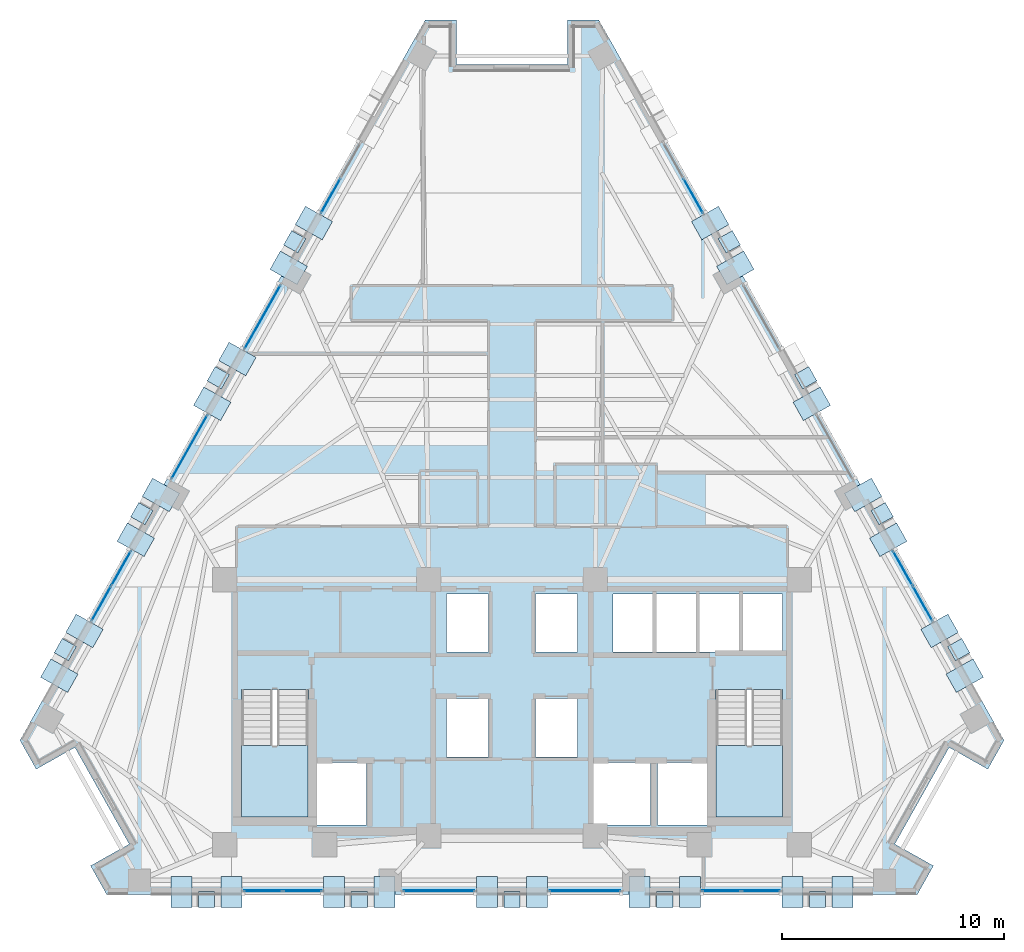
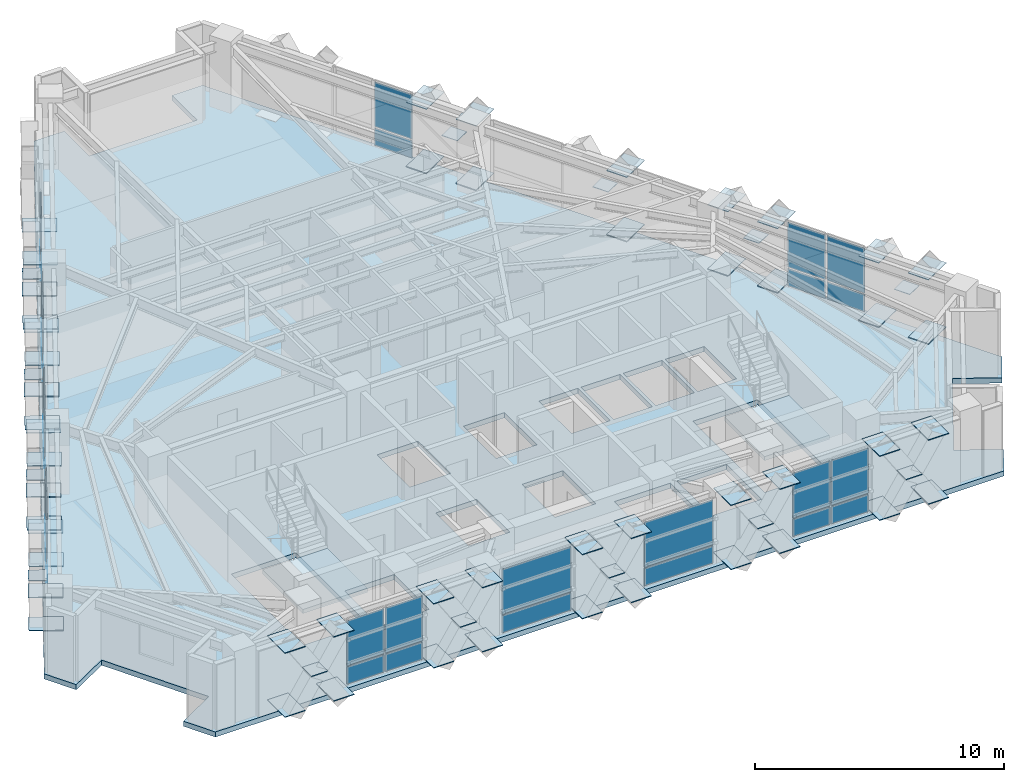
# One storey, part 6 of 14: 91 plates, 3 slabs, 12 elements without a shape of their own.
"""IFC4 building model written with IfcOpenShell, lengths in metres."""

from ifc_helpers import new_model, si_unit, direction, frame, origin, origin_2d, place, context, subcontext, project, spatial, polyline, rectangle, outline, extrude, material, layer, layer_set, type_object, element, aggregate, save


model = new_model("IFC4")

# Units and contexts
model_context = context("Model", 3, precision=1e-05, world=origin(), true_north=direction((0.0, 1.0)))
body_context = subcontext(model_context, "Body", "Model", "MODEL_VIEW")
ifc_project = project(units=[si_unit("LENGTHUNIT", "METRE"), si_unit("AREAUNIT", "SQUARE_METRE"), si_unit("VOLUMEUNIT", "CUBIC_METRE"), si_unit("PLANEANGLEUNIT", "RADIAN"), si_unit("MASSUNIT", "GRAM", prefix="KILO")], contexts=[model_context])

# Site, building, storey
site_placement = place(None, origin())
site = spatial("IfcSite", under=ifc_project, at=site_placement, CompositionType="ELEMENT")
building_placement = place(site_placement, origin())
building = spatial("IfcBuilding", under=site, at=building_placement, Name="Quenlor Broadcast Tower", CompositionType="ELEMENT")
storey_placement = place(building_placement, frame((0.0, 0.0, 165.0)))
storey = spatial("IfcBuildingStorey", under=building, at=storey_placement, Name="L45", CompositionType="ELEMENT", Elevation=165.0)

# Curtain wall, plates
ifc_material_1 = material(Name="Architectural Terracotta and Low-E Glazing", Category="masonry")
curtain_wall_type = type_object("IfcCurtainWallType", Name="Unitised Terracotta Curtain Wall System Z3", PredefinedType="NOTDEFINED", material=ifc_material_1)
curtain_wall_1_placement = place(storey_placement, origin())
curtain_wall_1 = element("IfcCurtainWall", 1, at=curtain_wall_1_placement, inside=storey, type_object=curtain_wall_type, Name="L45 Curtain Wall CW3 (L45-SA-G1)", PredefinedType="NOTDEFINED")
ifc_material_2 = material(Name="Double Glazed Low-E Solar Glass", Category="glass")
ifc_layer_1 = layer(ifc_material_2, 0.028076171875)
ifc_layer_set_1 = layer_set([ifc_layer_1], Name="CW3 Double Glazed Vision Panel 28")
plate_type_1 = type_object("IfcPlateType", Name="CW3 Double Glazed Vision Panel 28", PredefinedType="CURTAIN_PANEL", material=ifc_layer_set_1)
plate_1_placement = place(storey_placement, frame((11.222900390625, -18.824951171875, 0.06982421875), z_axis=(0.0, 0.0, 1.0), x_axis=(-1.0, 0.0, 0.0)))
plate_1 = element("IfcPlate", 2, at=plate_1_placement, type_object=plate_type_1, Name="CW3 panel 1.1", PredefinedType="CURTAIN_PANEL", context=body_context, shape_type="SweptSolid", body=[
    extrude(rectangle(XDim=1.7119140625, YDim=0.028076171875, at=origin_2d()), origin(), (0.0, 0.0, 1.0), 0.844970703125),
])
plate_2_placement = place(storey_placement, frame((11.222900390625, -18.824951171875, 0.98486328125), z_axis=(0.0, 0.0, 1.0), x_axis=(-1.0, 0.0, 0.0)))
plate_2 = element("IfcPlate", 3, at=plate_2_placement, type_object=plate_type_1, Name="CW3 panel 1.2", PredefinedType="CURTAIN_PANEL", context=body_context, shape_type="SweptSolid", body=[
    extrude(rectangle(XDim=1.7119140625, YDim=0.028076171875, at=origin_2d()), origin(), (0.0, 0.0, 1.0), 2.195068359375),
])
plate_3_placement = place(storey_placement, frame((9.44091796875, -18.824951171875, 0.06982421875), z_axis=(0.0, 0.0, 1.0), x_axis=(-1.0, 0.0, 0.0)))
plate_3 = element("IfcPlate", 4, at=plate_3_placement, type_object=plate_type_1, Name="CW3 panel 2.1", PredefinedType="CURTAIN_PANEL", context=body_context, shape_type="SweptSolid", body=[
    extrude(rectangle(XDim=1.7119140625, YDim=0.028076171875, at=origin_2d()), origin(), (0.0, 0.0, 1.0), 0.844970703125),
])
plate_4_placement = place(storey_placement, frame((9.44091796875, -18.824951171875, 0.98486328125), z_axis=(0.0, 0.0, 1.0), x_axis=(-1.0, 0.0, 0.0)))
plate_4 = element("IfcPlate", 5, at=plate_4_placement, type_object=plate_type_1, Name="CW3 panel 2.2", PredefinedType="CURTAIN_PANEL", context=body_context, shape_type="SweptSolid", body=[
    extrude(rectangle(XDim=1.7119140625, YDim=0.028076171875, at=origin_2d()), origin(), (0.0, 0.0, 1.0), 2.195068359375),
])
aggregate(curtain_wall_1, [plate_1, plate_2, plate_3, plate_4])

curtain_wall_2_placement = place(storey_placement, origin())
curtain_wall_2 = element("IfcCurtainWall", 6, at=curtain_wall_2_placement, inside=storey, type_object=curtain_wall_type, Name="L45 Curtain Wall CW3 (L45-SC-G1)", PredefinedType="NOTDEFINED")
plate_5_placement = place(storey_placement, frame((-9.44091796875, -18.824951171875, 0.06982421875), z_axis=(0.0, 0.0, 1.0), x_axis=(-1.0, 0.0, 0.0)))
plate_5 = element("IfcPlate", 7, at=plate_5_placement, type_object=plate_type_1, Name="CW3 panel 1.1", PredefinedType="CURTAIN_PANEL", context=body_context, shape_type="SweptSolid", body=[
    extrude(rectangle(XDim=1.7119140625, YDim=0.028076171875, at=origin_2d()), origin(), (0.0, 0.0, 1.0), 0.844970703125),
])
plate_6_placement = place(storey_placement, frame((-9.44091796875, -18.824951171875, 0.98486328125), z_axis=(0.0, 0.0, 1.0), x_axis=(-1.0, 0.0, 0.0)))
plate_6 = element("IfcPlate", 8, at=plate_6_placement, type_object=plate_type_1, Name="CW3 panel 1.2", PredefinedType="CURTAIN_PANEL", context=body_context, shape_type="SweptSolid", body=[
    extrude(rectangle(XDim=1.7119140625, YDim=0.028076171875, at=origin_2d()), origin(), (0.0, 0.0, 1.0), 2.195068359375),
])
plate_7_placement = place(storey_placement, frame((-11.222900390625, -18.824951171875, 0.06982421875), z_axis=(0.0, 0.0, 1.0), x_axis=(-1.0, 0.0, 0.0)))
plate_7 = element("IfcPlate", 9, at=plate_7_placement, type_object=plate_type_1, Name="CW3 panel 2.1", PredefinedType="CURTAIN_PANEL", context=body_context, shape_type="SweptSolid", body=[
    extrude(rectangle(XDim=1.7119140625, YDim=0.028076171875, at=origin_2d()), origin(), (0.0, 0.0, 1.0), 0.844970703125),
])
plate_8_placement = place(storey_placement, frame((-11.222900390625, -18.824951171875, 0.98486328125), z_axis=(0.0, 0.0, 1.0), x_axis=(-1.0, 0.0, 0.0)))
plate_8 = element("IfcPlate", 10, at=plate_8_placement, type_object=plate_type_1, Name="CW3 panel 2.2", PredefinedType="CURTAIN_PANEL", context=body_context, shape_type="SweptSolid", body=[
    extrude(rectangle(XDim=1.7119140625, YDim=0.028076171875, at=origin_2d()), origin(), (0.0, 0.0, 1.0), 2.195068359375),
])
aggregate(curtain_wall_2, [plate_5, plate_6, plate_7, plate_8])

curtain_wall_3_placement = place(storey_placement, origin())
curtain_wall_3 = element("IfcCurtainWall", 11, at=curtain_wall_3_placement, inside=storey, type_object=curtain_wall_type, Name="L45 Curtain Wall CW3 (L45-S-G1)", PredefinedType="NOTDEFINED")
plate_9_placement = place(storey_placement, frame((3.2939453125, -18.824951171875, 0.06982421875), z_axis=(0.0, 0.0, 1.0), x_axis=(-1.0, 0.0, 0.0)))
plate_9 = element("IfcPlate", 12, at=plate_9_placement, type_object=plate_type_1, Name="CW3 panel 1.1", PredefinedType="CURTAIN_PANEL", context=body_context, shape_type="SweptSolid", body=[
    extrude(rectangle(XDim=3.194091796875, YDim=0.028076171875, at=origin_2d()), origin(), (0.0, 0.0, 1.0), 0.844970703125),
])
plate_10_placement = place(storey_placement, frame((3.2939453125, -18.824951171875, 0.98486328125), z_axis=(0.0, 0.0, 1.0), x_axis=(-1.0, 0.0, 0.0)))
plate_10 = element("IfcPlate", 13, at=plate_10_placement, type_object=plate_type_1, Name="CW3 panel 1.2", PredefinedType="CURTAIN_PANEL", context=body_context, shape_type="SweptSolid", body=[
    extrude(rectangle(XDim=3.194091796875, YDim=0.028076171875, at=origin_2d()), origin(), (0.0, 0.0, 1.0), 2.195068359375),
])
aggregate(curtain_wall_3, [plate_9, plate_10])

curtain_wall_4_placement = place(storey_placement, origin())
curtain_wall_4 = element("IfcCurtainWall", 14, at=curtain_wall_4_placement, inside=storey, type_object=curtain_wall_type, Name="L45 Curtain Wall CW3 (L45-S-G2)", PredefinedType="NOTDEFINED")
plate_11_placement = place(storey_placement, frame((-3.2939453125, -18.824951171875, 0.06982421875), z_axis=(0.0, 0.0, 1.0), x_axis=(-1.0, 0.0, 0.0)))
plate_11 = element("IfcPlate", 15, at=plate_11_placement, type_object=plate_type_1, Name="CW3 panel 1.1", PredefinedType="CURTAIN_PANEL", context=body_context, shape_type="SweptSolid", body=[
    extrude(rectangle(XDim=3.194091796875, YDim=0.028076171875, at=origin_2d()), origin(), (0.0, 0.0, 1.0), 0.844970703125),
])
plate_12_placement = place(storey_placement, frame((-3.2939453125, -18.824951171875, 0.98486328125), z_axis=(0.0, 0.0, 1.0), x_axis=(-1.0, 0.0, 0.0)))
plate_12 = element("IfcPlate", 16, at=plate_12_placement, type_object=plate_type_1, Name="CW3 panel 1.2", PredefinedType="CURTAIN_PANEL", context=body_context, shape_type="SweptSolid", body=[
    extrude(rectangle(XDim=3.194091796875, YDim=0.028076171875, at=origin_2d()), origin(), (0.0, 0.0, 1.0), 2.195068359375),
])
aggregate(curtain_wall_4, [plate_11, plate_12])

curtain_wall_5_placement = place(storey_placement, origin())
curtain_wall_5 = element("IfcCurtainWall", 17, at=curtain_wall_5_placement, inside=storey, type_object=curtain_wall_type, Name="L45 Curtain Wall CW3 (L45-NEA-G1)", PredefinedType="NOTDEFINED")
plate_13_placement = place(storey_placement, frame((8.174560546875, 12.5107421875, 0.06982421875), z_axis=(0.0, 0.0, 1.0), x_axis=(0.490270139949, -0.871570530637, 0.0)))
plate_13 = element("IfcPlate", 18, at=plate_13_placement, type_object=plate_type_1, Name="CW3 panel 2.1", PredefinedType="CURTAIN_PANEL", context=body_context, shape_type="SweptSolid", body=[
    extrude(rectangle(XDim=1.761962890625, YDim=0.028076171875, at=origin_2d()), origin(), (0.0, 0.0, 1.0), 0.844970703125),
])
plate_14_placement = place(storey_placement, frame((8.174560546875, 12.5107421875, 0.98486328125), z_axis=(0.0, 0.0, 1.0), x_axis=(0.490270139949, -0.871570530637, 0.0)))
plate_14 = element("IfcPlate", 19, at=plate_14_placement, type_object=plate_type_1, Name="CW3 panel 2.2", PredefinedType="CURTAIN_PANEL", context=body_context, shape_type="SweptSolid", body=[
    extrude(rectangle(XDim=1.761962890625, YDim=0.028076171875, at=origin_2d()), origin(), (0.0, 0.0, 1.0), 2.195068359375),
])
aggregate(curtain_wall_5, [plate_13, plate_14])

curtain_wall_6_placement = place(storey_placement, origin())
curtain_wall_6 = element("IfcCurtainWall", 20, at=curtain_wall_6_placement, inside=storey, type_object=curtain_wall_type, Name="L45 Curtain Wall CW3 (L45-NEC-G1)", PredefinedType="NOTDEFINED")
plate_15_placement = place(storey_placement, frame((17.62060546875, -4.2822265625, 0.06982421875), z_axis=(0.0, 0.0, 1.0), x_axis=(0.490258696743, -0.871576967495, 0.0)))
plate_15 = element("IfcPlate", 21, at=plate_15_placement, type_object=plate_type_1, Name="CW3 panel 1.1", PredefinedType="CURTAIN_PANEL", context=body_context, shape_type="SweptSolid", body=[
    extrude(rectangle(XDim=1.761962890625, YDim=0.028076171875, at=origin_2d()), origin(), (0.0, 0.0, 1.0), 0.844970703125),
])
plate_16_placement = place(storey_placement, frame((17.62060546875, -4.2822265625, 0.98486328125), z_axis=(0.0, 0.0, 1.0), x_axis=(0.490258696743, -0.871576967495, 0.0)))
plate_16 = element("IfcPlate", 22, at=plate_16_placement, type_object=plate_type_1, Name="CW3 panel 1.2", PredefinedType="CURTAIN_PANEL", context=body_context, shape_type="SweptSolid", body=[
    extrude(rectangle(XDim=1.761962890625, YDim=0.028076171875, at=origin_2d()), origin(), (0.0, 0.0, 1.0), 2.195068359375),
])
plate_17_placement = place(storey_placement, frame((18.518798828125, -5.879150390625, 0.06982421875), z_axis=(0.0, 0.0, 1.0), x_axis=(0.490258696743, -0.871576967495, 0.0)))
plate_17 = element("IfcPlate", 23, at=plate_17_placement, type_object=plate_type_1, Name="CW3 panel 2.1", PredefinedType="CURTAIN_PANEL", context=body_context, shape_type="SweptSolid", body=[
    extrude(rectangle(XDim=1.761962890625, YDim=0.028076171875, at=origin_2d()), origin(), (0.0, 0.0, 1.0), 0.844970703125),
])
plate_18_placement = place(storey_placement, frame((18.518798828125, -5.879150390625, 0.98486328125), z_axis=(0.0, 0.0, 1.0), x_axis=(0.490258696743, -0.871576967495, 0.0)))
plate_18 = element("IfcPlate", 24, at=plate_18_placement, type_object=plate_type_1, Name="CW3 panel 2.2", PredefinedType="CURTAIN_PANEL", context=body_context, shape_type="SweptSolid", body=[
    extrude(rectangle(XDim=1.761962890625, YDim=0.028076171875, at=origin_2d()), origin(), (0.0, 0.0, 1.0), 2.195068359375),
])
aggregate(curtain_wall_6, [plate_15, plate_16, plate_17, plate_18])

curtain_wall_7_placement = place(storey_placement, origin())
curtain_wall_7 = element("IfcCurtainWall", 25, at=curtain_wall_7_placement, inside=storey, type_object=curtain_wall_type, Name="L45 Curtain Wall CW3 (L45-NWA-G1)", PredefinedType="NOTDEFINED")
plate_19_placement = place(storey_placement, frame((-18.518798828125, -5.879150390625, 0.06982421875), z_axis=(0.0, 0.0, 1.0), x_axis=(0.490258696743, 0.871576967495, 0.0)))
plate_19 = element("IfcPlate", 26, at=plate_19_placement, type_object=plate_type_1, Name="CW3 panel 1.1", PredefinedType="CURTAIN_PANEL", context=body_context, shape_type="SweptSolid", body=[
    extrude(rectangle(XDim=1.761962890625, YDim=0.028076171875, at=origin_2d()), origin(), (0.0, 0.0, 1.0), 0.844970703125),
])
plate_20_placement = place(storey_placement, frame((-18.518798828125, -5.879150390625, 0.98486328125), z_axis=(0.0, 0.0, 1.0), x_axis=(0.490258696743, 0.871576967495, 0.0)))
plate_20 = element("IfcPlate", 27, at=plate_20_placement, type_object=plate_type_1, Name="CW3 panel 1.2", PredefinedType="CURTAIN_PANEL", context=body_context, shape_type="SweptSolid", body=[
    extrude(rectangle(XDim=1.761962890625, YDim=0.028076171875, at=origin_2d()), origin(), (0.0, 0.0, 1.0), 2.195068359375),
])
plate_21_placement = place(storey_placement, frame((-17.62060546875, -4.2822265625, 0.06982421875), z_axis=(0.0, 0.0, 1.0), x_axis=(0.490258696743, 0.871576967495, 0.0)))
plate_21 = element("IfcPlate", 28, at=plate_21_placement, type_object=plate_type_1, Name="CW3 panel 2.1", PredefinedType="CURTAIN_PANEL", context=body_context, shape_type="SweptSolid", body=[
    extrude(rectangle(XDim=1.761962890625, YDim=0.028076171875, at=origin_2d()), origin(), (0.0, 0.0, 1.0), 0.844970703125),
])
plate_22_placement = place(storey_placement, frame((-17.62060546875, -4.2822265625, 0.98486328125), z_axis=(0.0, 0.0, 1.0), x_axis=(0.490258696743, 0.871576967495, 0.0)))
plate_22 = element("IfcPlate", 29, at=plate_22_placement, type_object=plate_type_1, Name="CW3 panel 2.2", PredefinedType="CURTAIN_PANEL", context=body_context, shape_type="SweptSolid", body=[
    extrude(rectangle(XDim=1.761962890625, YDim=0.028076171875, at=origin_2d()), origin(), (0.0, 0.0, 1.0), 2.195068359375),
])
aggregate(curtain_wall_7, [plate_19, plate_20, plate_21, plate_22])

curtain_wall_8_placement = place(storey_placement, origin())
curtain_wall_8 = element("IfcCurtainWall", 30, at=curtain_wall_8_placement, inside=storey, type_object=curtain_wall_type, Name="L45 Curtain Wall CW3 (L45-NWC-G1)", PredefinedType="NOTDEFINED")
plate_23_placement = place(storey_placement, frame((-8.174560546875, 12.5107421875, 0.06982421875), z_axis=(0.0, 0.0, 1.0), x_axis=(0.490270139949, 0.871570530637, 0.0)))
plate_23 = element("IfcPlate", 31, at=plate_23_placement, type_object=plate_type_1, Name="CW3 panel 1.1", PredefinedType="CURTAIN_PANEL", context=body_context, shape_type="SweptSolid", body=[
    extrude(rectangle(XDim=1.761962890625, YDim=0.028076171875, at=origin_2d()), origin(), (0.0, 0.0, 1.0), 0.844970703125),
])
plate_24_placement = place(storey_placement, frame((-8.174560546875, 12.5107421875, 0.98486328125), z_axis=(0.0, 0.0, 1.0), x_axis=(0.490270139949, 0.871570530637, 0.0)))
plate_24 = element("IfcPlate", 32, at=plate_24_placement, type_object=plate_type_1, Name="CW3 panel 1.2", PredefinedType="CURTAIN_PANEL", context=body_context, shape_type="SweptSolid", body=[
    extrude(rectangle(XDim=1.761962890625, YDim=0.028076171875, at=origin_2d()), origin(), (0.0, 0.0, 1.0), 2.195068359375),
])
aggregate(curtain_wall_8, [plate_23, plate_24])

curtain_wall_9_placement = place(storey_placement, origin())
curtain_wall_9 = element("IfcCurtainWall", 33, at=curtain_wall_9_placement, inside=storey, type_object=curtain_wall_type, Name="L45 Curtain Wall CW3 (L45-NW-G1)", PredefinedType="NOTDEFINED")
plate_25_placement = place(storey_placement, frame((-14.544677734375, 1.18603515625, 0.06982421875), z_axis=(0.0, 0.0, 1.0), x_axis=(0.490268180048, 0.871571633105, 0.0)))
plate_25 = element("IfcPlate", 34, at=plate_25_placement, type_object=plate_type_1, Name="CW3 panel 1.1", PredefinedType="CURTAIN_PANEL", context=body_context, shape_type="SweptSolid", body=[
    extrude(rectangle(XDim=3.2802734375, YDim=0.028076171875, at=origin_2d()), origin(), (0.0, 0.0, 1.0), 0.844970703125),
])
plate_26_placement = place(storey_placement, frame((-14.544677734375, 1.18603515625, 0.98486328125), z_axis=(0.0, 0.0, 1.0), x_axis=(0.490268180048, 0.871571633105, 0.0)))
plate_26 = element("IfcPlate", 35, at=plate_26_placement, type_object=plate_type_1, Name="CW3 panel 1.2", PredefinedType="CURTAIN_PANEL", context=body_context, shape_type="SweptSolid", body=[
    extrude(rectangle(XDim=3.2802734375, YDim=0.028076171875, at=origin_2d()), origin(), (0.0, 0.0, 1.0), 2.195068359375),
])
aggregate(curtain_wall_9, [plate_25, plate_26])

curtain_wall_10_placement = place(storey_placement, origin())
curtain_wall_10 = element("IfcCurtainWall", 36, at=curtain_wall_10_placement, inside=storey, type_object=curtain_wall_type, Name="L45 Curtain Wall CW3 (L45-NW-G2)", PredefinedType="NOTDEFINED")
plate_27_placement = place(storey_placement, frame((-11.250244140625, 7.04248046875, 0.06982421875), z_axis=(0.0, 0.0, 1.0), x_axis=(0.490255687418, 0.871578660222, 0.0)))
plate_27 = element("IfcPlate", 37, at=plate_27_placement, type_object=plate_type_1, Name="CW3 panel 1.1", PredefinedType="CURTAIN_PANEL", context=body_context, shape_type="SweptSolid", body=[
    extrude(rectangle(XDim=3.280517578125, YDim=0.028076171875, at=origin_2d()), origin(), (0.0, 0.0, 1.0), 0.844970703125),
])
plate_28_placement = place(storey_placement, frame((-11.250244140625, 7.04248046875, 0.98486328125), z_axis=(0.0, 0.0, 1.0), x_axis=(0.490255687418, 0.871578660222, 0.0)))
plate_28 = element("IfcPlate", 38, at=plate_28_placement, type_object=plate_type_1, Name="CW3 panel 1.2", PredefinedType="CURTAIN_PANEL", context=body_context, shape_type="SweptSolid", body=[
    extrude(rectangle(XDim=3.280517578125, YDim=0.028076171875, at=origin_2d()), origin(), (0.0, 0.0, 1.0), 2.195068359375),
])
aggregate(curtain_wall_10, [plate_27, plate_28])

# Plates
ifc_material_3 = material(Name="Steel S355", Category="steel")
ifc_layer_2 = layer(ifc_material_3, 0.028076171875)
ifc_layer_set_2 = layer_set([ifc_layer_2], Name="Perimeter Lattice Node Steel S355 Cap Plate 740x740x28")
plate_type_2 = type_object("IfcPlateType", Name="Perimeter Lattice Node Steel S355 Cap Plate 740x740x28", PredefinedType="USERDEFINED", material=ifc_layer_set_2)
for number, where, z_axis, x_axis, name in (
    (39, (13.77587890625, -19.219970703125, 1.61572265625), (0.0, 0.0, 1.0), (-1.0, 0.0, 0.0), "L45 Diamond Lattice Crossing Node S-C1"),
    (40, (6.887939453125, -19.219970703125, 1.61572265625), (0.0, 0.0, 1.0), (-1.0, 0.0, 0.0), "L45 Diamond Lattice Crossing Node S-C2"),
    (41, (0.0, -19.219970703125, 1.61572265625), (0.0, 0.0, 1.0), (-1.0, 0.0, 0.0), "L45 Diamond Lattice Crossing Node S-C3"),
    (42, (-6.887939453125, -19.219970703125, 1.61572265625), (0.0, 0.0, 1.0), (-1.0, 0.0, 0.0), "L45 Diamond Lattice Crossing Node S-C4"),
    (43, (-13.77587890625, -19.219970703125, 1.61572265625), (0.0, 0.0, 1.0), (-1.0, 0.0, 0.0), "L45 Diamond Lattice Crossing Node S-C5"),
    (44, (9.793701171875, 10.437744140625, 1.61572265625), (0.0, 0.0, 1.0), (0.490295412055, -0.871556314255, 0.0), "L45 Diamond Lattice Crossing Node NE-C2"),
    (45, (13.24169921875, 4.307861328125, 1.61572265625), (0.0, 0.0, 1.0), (0.490295412055, -0.871556314255, 0.0), "L45 Diamond Lattice Crossing Node NE-C3"),
    (46, (16.689697265625, -1.822021484375, 1.61572265625), (0.0, 0.0, 1.0), (0.490295412055, -0.871556314255, 0.0), "L45 Diamond Lattice Crossing Node NE-C4"),
    (47, (20.137939453125, -7.951904296875, 1.61572265625), (0.0, 0.0, 1.0), (0.490295412055, -0.871556314255, 0.0), "L45 Diamond Lattice Crossing Node NE-C5"),
    (48, (-20.137939453125, -7.951904296875, 1.61572265625), (0.0, 0.0, 1.0), (0.490295412055, 0.871556314255, 0.0), "L45 Diamond Lattice Crossing Node NW-C1"),
    (49, (-16.689697265625, -1.822021484375, 1.61572265625), (0.0, 0.0, 1.0), (0.490295412055, 0.871556314255, 0.0), "L45 Diamond Lattice Crossing Node NW-C2"),
    (50, (-13.24169921875, 4.307861328125, 1.61572265625), (0.0, 0.0, 1.0), (0.490295412055, 0.871556314255, 0.0), "L45 Diamond Lattice Crossing Node NW-C3"),
    (51, (-9.793701171875, 10.437744140625, 1.61572265625), (0.0, 0.0, 1.0), (0.490295412055, 0.871556314255, 0.0), "L45 Diamond Lattice Crossing Node NW-C4"),
):
    element("IfcPlate", number, at=place(storey_placement, frame(where, z_axis=z_axis, x_axis=x_axis)), inside=storey, type_object=plate_type_2, Name=name, ObjectType="CAP PLATE", PredefinedType="USERDEFINED", context=body_context, shape_type="SweptSolid", body=[
        extrude(rectangle(XDim=0.739990234375, YDim=0.739990234375, at=origin_2d()), origin(), (0.0, 0.0, 1.0), 0.028076171875),
    ])

# Stair, slab
ifc_material_4 = material(Name="Precast concrete C40/50", Category="concrete")
stair_type = type_object("IfcStairType", Name="Precast Concrete C40/50 Dogleg Stair H350", PredefinedType="HALF_TURN_STAIR", material=ifc_material_4)
stair_1_placement = place(storey_placement, origin())
stair_1 = element("IfcStair", 52, at=stair_1_placement, inside=storey, type_object=stair_type, Name="L45 West Core Fire-Isolated Exit Stair ST-1", PredefinedType="HALF_TURN_STAIR")
ifc_material_5 = material(Name="Precast concrete C40/50", Category="concrete")
ifc_layer_3 = layer(ifc_material_5, 0.199951171875)
ifc_layer_set_3 = layer_set([ifc_layer_3], Name="Precast Concrete C40/50 Stair Landing Slab 200")
slab_type_1 = type_object("IfcSlabType", Name="Precast Concrete C40/50 Stair Landing Slab 200", PredefinedType="LANDING", material=ifc_layer_set_3)
slab_1_placement = place(storey_placement, frame((0.0, 0.0, 1.550048828125)))
slab_1 = element("IfcSlab", 53, at=slab_1_placement, type_object=slab_type_1, Name="ST-1 landing 1", PredefinedType="LANDING", context=body_context, shape_type="SweptSolid", body=[
    extrude(outline(polyline([(-12.199951171875, -12.27001953125), (-12.199951171875, -15.5), (-9.199951171875, -15.5), (-9.199951171875, -12.27001953125), (-12.199951171875, -12.27001953125)])), origin(), (0.0, 0.0, 1.0), 0.199951171875),
])
aggregate(stair_1, [slab_1])

stair_2_placement = place(storey_placement, origin())
stair_2 = element("IfcStair", 54, at=stair_2_placement, inside=storey, type_object=stair_type, Name="L45 East Core Fire-Isolated Exit Stair ST-2", PredefinedType="HALF_TURN_STAIR")
slab_2_placement = place(storey_placement, frame((0.0, 0.0, 1.550048828125)))
slab_2 = element("IfcSlab", 55, at=slab_2_placement, type_object=slab_type_1, Name="ST-2 landing 1", PredefinedType="LANDING", context=body_context, shape_type="SweptSolid", body=[
    extrude(outline(polyline([(9.199951171875, -12.27001953125), (9.199951171875, -15.5), (12.199951171875, -15.5), (12.199951171875, -12.27001953125), (9.199951171875, -12.27001953125)])), origin(), (0.0, 0.0, 1.0), 0.199951171875),
])
aggregate(stair_2, [slab_2])

# Slab
ifc_material_6 = material(Name="Concrete C40/50", Category="concrete")
ifc_layer_4 = layer(ifc_material_6, 0.25)
ifc_layer_set_4 = layer_set([ifc_layer_4], Name="Tower Composite Concrete C40/50 Slab 250")
slab_type_2 = type_object("IfcSlabType", Name="Tower Composite Concrete C40/50 Slab 250", PredefinedType="FLOOR", material=ifc_layer_set_4)
slab_3_placement = place(storey_placement, frame((0.0, 0.0, -0.25)))
element("IfcSlab", 56, at=slab_3_placement, inside=storey, type_object=slab_type_2, Name="L45 Structural Floor Slab", PredefinedType="FLOOR", context=body_context, shape_type="SweptSolid", body=[
    extrude(outline(polyline([(18.27001953125, -19.0), (19.001708984375, -17.698974609375), (17.2587890625, -16.718505859375), (19.7099609375, -12.360595703125), (21.453125, -13.341064453125), (22.18505859375, -12.0400390625), (3.9150390625, 20.43994140625), (2.5, 20.43994140625), (2.5, 18.43994140625), (-2.5, 18.43994140625), (-2.5, 20.43994140625), (-3.9150390625, 20.43994140625), (-22.18505859375, -12.0400390625), (-21.453125, -13.341064453125), (-19.7099609375, -12.360595703125), (-17.2587890625, -16.718505859375), (-19.001708984375, -17.698974609375), (-18.27001953125, -19.0), (18.27001953125, -19.0)]), holes=[polyline([(-12.199951171875, -9.758056640625), (-12.199951171875, -15.5), (-9.199951171875, -15.5), (-9.199951171875, -9.758056640625), (-12.199951171875, -9.758056640625)]), polyline([(9.199951171875, -9.758056640625), (9.199951171875, -15.5), (12.199951171875, -15.5), (12.199951171875, -9.758056640625), (9.199951171875, -9.758056640625)]), polyline([(-2.949951171875, -8.050048828125), (-1.050048828125, -8.050048828125), (-1.050048828125, -5.449951171875), (-2.949951171875, -5.449951171875), (-2.949951171875, -8.050048828125)]), polyline([(1.050048828125, -8.050048828125), (2.949951171875, -8.050048828125), (2.949951171875, -5.449951171875), (1.050048828125, -5.449951171875), (1.050048828125, -8.050048828125)]), polyline([(-2.949951171875, -12.800048828125), (-1.050048828125, -12.800048828125), (-1.050048828125, -10.14990234375), (-2.949951171875, -10.14990234375), (-2.949951171875, -12.800048828125)]), polyline([(1.050048828125, -12.800048828125), (2.949951171875, -12.800048828125), (2.949951171875, -10.14990234375), (1.050048828125, -10.14990234375), (1.050048828125, -12.800048828125)]), polyline([(4.550048828125, -8.050048828125), (6.35009765625, -8.050048828125), (6.35009765625, -5.449951171875), (4.550048828125, -5.449951171875), (4.550048828125, -8.050048828125)]), polyline([(6.5, -8.050048828125), (8.300048828125, -8.050048828125), (8.300048828125, -5.449951171875), (6.5, -5.449951171875), (6.5, -8.050048828125)]), polyline([(8.449951171875, -8.050048828125), (10.25, -8.050048828125), (10.25, -5.449951171875), (8.449951171875, -5.449951171875), (8.449951171875, -8.050048828125)]), polyline([(10.39990234375, -8.050048828125), (12.199951171875, -8.050048828125), (12.199951171875, -5.449951171875), (10.39990234375, -5.449951171875), (10.39990234375, -8.050048828125)]), polyline([(-8.85009765625, -15.85009765625), (-6.550048828125, -15.85009765625), (-6.550048828125, -13.050048828125), (-8.85009765625, -13.050048828125), (-8.85009765625, -15.85009765625)]), polyline([(6.550048828125, -15.85009765625), (8.85009765625, -15.85009765625), (8.85009765625, -13.050048828125), (6.550048828125, -13.050048828125), (6.550048828125, -15.85009765625)]), polyline([(3.64990234375, -15.85009765625), (6.25, -15.85009765625), (6.25, -13.050048828125), (3.64990234375, -13.050048828125), (3.64990234375, -15.85009765625)])]), origin(), (0.0, 0.0, 1.0), 0.25),
])

# Plates
ifc_material_7 = material(Name="Steel S355", Category="steel")
ifc_layer_5 = layer(ifc_material_7, 0.035888671875)
ifc_layer_set_5 = layer_set([ifc_layer_5], Name="Transfer Truss Steel S355 Gusset Node Plate 1400x950x36")
plate_type_3 = type_object("IfcPlateType", Name="Transfer Truss Steel S355 Gusset Node Plate 1400x950x36", PredefinedType="SHEET", material=ifc_layer_set_5)
for number, where, z_axis, x_axis, name in (
    (57, (14.91015625, -18.885009765625, 0.0419921875), (0.0, 0.0, 1.0), (0.0, -1.0, 0.0), "L45 Lattice Tie Gusset Node S-B1"),
    (58, (12.641845703125, -18.885009765625, 3.18212890625), (0.0, 0.0, 1.0), (0.0, -1.0, 0.0), "L45 Lattice Tie Gusset Node S-T2"),
    (59, (12.641845703125, -18.885009765625, 0.0419921875), (0.0, 0.0, 1.0), (0.0, -1.0, 0.0), "L45 Lattice Tie Gusset Node S-B2"),
    (60, (14.91015625, -18.885009765625, 3.18212890625), (0.0, 0.0, 1.0), (0.0, -1.0, 0.0), "L45 Lattice Tie Gusset Node S-T1"),
    (61, (8.022216796875, -18.885009765625, 0.0419921875), (0.0, 0.0, 1.0), (0.0, -1.0, 0.0), "L45 Lattice Tie Gusset Node S-B4"),
    (62, (5.75390625, -18.885009765625, 3.18212890625), (0.0, 0.0, 1.0), (0.0, -1.0, 0.0), "L45 Lattice Tie Gusset Node S-T5"),
    (63, (5.75390625, -18.885009765625, 0.0419921875), (0.0, 0.0, 1.0), (0.0, -1.0, 0.0), "L45 Lattice Tie Gusset Node S-B5"),
    (64, (8.022216796875, -18.885009765625, 3.18212890625), (0.0, 0.0, 1.0), (0.0, -1.0, 0.0), "L45 Lattice Tie Gusset Node S-T4"),
    (65, (1.13427734375, -18.885009765625, 0.0419921875), (0.0, 0.0, 1.0), (0.0, -1.0, 0.0), "L45 Lattice Tie Gusset Node S-B7"),
    (66, (-1.13427734375, -18.885009765625, 3.18212890625), (0.0, 0.0, 1.0), (0.0, -1.0, 0.0), "L45 Lattice Tie Gusset Node S-T8"),
    (67, (-1.13427734375, -18.885009765625, 0.0419921875), (0.0, 0.0, 1.0), (0.0, -1.0, 0.0), "L45 Lattice Tie Gusset Node S-B8"),
    (68, (1.13427734375, -18.885009765625, 3.18212890625), (0.0, 0.0, 1.0), (0.0, -1.0, 0.0), "L45 Lattice Tie Gusset Node S-T7"),
    (69, (-5.75390625, -18.885009765625, 0.0419921875), (0.0, 0.0, 1.0), (0.0, -1.0, 0.0), "L45 Lattice Tie Gusset Node S-B10"),
    (70, (-8.022216796875, -18.885009765625, 3.18212890625), (0.0, 0.0, 1.0), (0.0, -1.0, 0.0), "L45 Lattice Tie Gusset Node S-T11"),
    (71, (-8.022216796875, -18.885009765625, 0.0419921875), (0.0, 0.0, 1.0), (0.0, -1.0, 0.0), "L45 Lattice Tie Gusset Node S-B11"),
    (72, (-5.75390625, -18.885009765625, 3.18212890625), (0.0, 0.0, 1.0), (0.0, -1.0, 0.0), "L45 Lattice Tie Gusset Node S-T10"),
    (73, (-12.641845703125, -18.885009765625, 0.0419921875), (0.0, 0.0, 1.0), (0.0, -1.0, 0.0), "L45 Lattice Tie Gusset Node S-B13"),
    (74, (-14.91015625, -18.885009765625, 3.18212890625), (0.0, 0.0, 1.0), (0.0, -1.0, 0.0), "L45 Lattice Tie Gusset Node S-T14"),
    (75, (-14.91015625, -18.885009765625, 0.0419921875), (0.0, 0.0, 1.0), (0.0, -1.0, 0.0), "L45 Lattice Tie Gusset Node S-B14"),
    (76, (-12.641845703125, -18.885009765625, 3.18212890625), (0.0, 0.0, 1.0), (0.0, -1.0, 0.0), "L45 Lattice Tie Gusset Node S-T13"),
    (77, (8.933837890625, 11.282958984375, 0.0419921875), (0.0, 0.0, 1.0), (0.871556314255, 0.490295412055, 0.0), "L45 Lattice Tie Gusset Node NE-B4"),
    (78, (10.069580078125, 9.26416015625, 3.18212890625), (0.0, 0.0, 1.0), (0.871556314255, 0.490295412055, 0.0), "L45 Lattice Tie Gusset Node NE-T5"),
    (79, (10.069580078125, 9.26416015625, 0.0419921875), (0.0, 0.0, 1.0), (0.871556314255, 0.490295412055, 0.0), "L45 Lattice Tie Gusset Node NE-B5"),
    (80, (8.933837890625, 11.282958984375, 3.18212890625), (0.0, 0.0, 1.0), (0.871556314255, 0.490295412055, 0.0), "L45 Lattice Tie Gusset Node NE-T4"),
    (81, (13.517578125, 3.13427734375, 3.18212890625), (0.0, 0.0, 1.0), (0.871556314255, 0.490295412055, 0.0), "L45 Lattice Tie Gusset Node NE-T8"),
    (82, (13.517578125, 3.13427734375, 0.0419921875), (0.0, 0.0, 1.0), (0.871556314255, 0.490295412055, 0.0), "L45 Lattice Tie Gusset Node NE-B8"),
    (83, (15.830078125, -0.976806640625, 0.0419921875), (0.0, 0.0, 1.0), (0.871556314255, 0.490295412055, 0.0), "L45 Lattice Tie Gusset Node NE-B10"),
    (84, (16.9658203125, -2.99560546875, 3.18212890625), (0.0, 0.0, 1.0), (0.871556314255, 0.490295412055, 0.0), "L45 Lattice Tie Gusset Node NE-T11"),
    (85, (16.9658203125, -2.99560546875, 0.0419921875), (0.0, 0.0, 1.0), (0.871556314255, 0.490295412055, 0.0), "L45 Lattice Tie Gusset Node NE-B11"),
    (86, (15.830078125, -0.976806640625, 3.18212890625), (0.0, 0.0, 1.0), (0.871556314255, 0.490295412055, 0.0), "L45 Lattice Tie Gusset Node NE-T10"),
    (87, (19.2783203125, -7.10693359375, 0.0419921875), (0.0, 0.0, 1.0), (0.871556314255, 0.490295412055, 0.0), "L45 Lattice Tie Gusset Node NE-B13"),
    (88, (20.413818359375, -9.125732421875, 3.18212890625), (0.0, 0.0, 1.0), (0.871556314255, 0.490295412055, 0.0), "L45 Lattice Tie Gusset Node NE-T14"),
    (89, (20.413818359375, -9.125732421875, 0.0419921875), (0.0, 0.0, 1.0), (0.871556314255, 0.490295412055, 0.0), "L45 Lattice Tie Gusset Node NE-B14"),
    (90, (19.2783203125, -7.10693359375, 3.18212890625), (0.0, 0.0, 1.0), (0.871556314255, 0.490295412055, 0.0), "L45 Lattice Tie Gusset Node NE-T13"),
    (91, (-20.413818359375, -9.125732421875, 0.0419921875), (0.0, 0.0, 1.0), (-0.871556314255, 0.490295412055, 0.0), "L45 Lattice Tie Gusset Node NW-B1"),
    (92, (-19.2783203125, -7.10693359375, 3.18212890625), (0.0, 0.0, 1.0), (-0.871556314255, 0.490295412055, 0.0), "L45 Lattice Tie Gusset Node NW-T2"),
    (93, (-19.2783203125, -7.10693359375, 0.0419921875), (0.0, 0.0, 1.0), (-0.871556314255, 0.490295412055, 0.0), "L45 Lattice Tie Gusset Node NW-B2"),
    (94, (-20.413818359375, -9.125732421875, 3.18212890625), (0.0, 0.0, 1.0), (-0.871556314255, 0.490295412055, 0.0), "L45 Lattice Tie Gusset Node NW-T1"),
    (95, (-16.9658203125, -2.99560546875, 0.0419921875), (0.0, 0.0, 1.0), (-0.871556314255, 0.490295412055, 0.0), "L45 Lattice Tie Gusset Node NW-B4"),
    (96, (-15.830078125, -0.976806640625, 3.18212890625), (0.0, 0.0, 1.0), (-0.871556314255, 0.490295412055, 0.0), "L45 Lattice Tie Gusset Node NW-T5"),
    (97, (-15.830078125, -0.976806640625, 0.0419921875), (0.0, 0.0, 1.0), (-0.871556314255, 0.490295412055, 0.0), "L45 Lattice Tie Gusset Node NW-B5"),
    (98, (-16.9658203125, -2.99560546875, 3.18212890625), (0.0, 0.0, 1.0), (-0.871556314255, 0.490295412055, 0.0), "L45 Lattice Tie Gusset Node NW-T4"),
    (99, (-13.517578125, 3.13427734375, 0.0419921875), (0.0, 0.0, 1.0), (-0.871556314255, 0.490295412055, 0.0), "L45 Lattice Tie Gusset Node NW-B7"),
    (100, (-12.382080078125, 5.153076171875, 3.18212890625), (0.0, 0.0, 1.0), (-0.871556314255, 0.490295412055, 0.0), "L45 Lattice Tie Gusset Node NW-T8"),
    (101, (-12.382080078125, 5.153076171875, 0.0419921875), (0.0, 0.0, 1.0), (-0.871556314255, 0.490295412055, 0.0), "L45 Lattice Tie Gusset Node NW-B8"),
    (102, (-13.517578125, 3.13427734375, 3.18212890625), (0.0, 0.0, 1.0), (-0.871556314255, 0.490295412055, 0.0), "L45 Lattice Tie Gusset Node NW-T7"),
    (103, (-10.069580078125, 9.26416015625, 0.0419921875), (0.0, 0.0, 1.0), (-0.871556314255, 0.490295412055, 0.0), "L45 Lattice Tie Gusset Node NW-B10"),
    (104, (-8.933837890625, 11.282958984375, 3.18212890625), (0.0, 0.0, 1.0), (-0.871556314255, 0.490295412055, 0.0), "L45 Lattice Tie Gusset Node NW-T11"),
    (105, (-8.933837890625, 11.282958984375, 0.0419921875), (0.0, 0.0, 1.0), (-0.871556314255, 0.490295412055, 0.0), "L45 Lattice Tie Gusset Node NW-B11"),
    (106, (-10.069580078125, 9.26416015625, 3.18212890625), (0.0, 0.0, 1.0), (-0.871556314255, 0.490295412055, 0.0), "L45 Lattice Tie Gusset Node NW-T10"),
):
    element("IfcPlate", number, at=place(storey_placement, frame(where, z_axis=z_axis, x_axis=x_axis)), inside=storey, type_object=plate_type_3, Name=name, PredefinedType="SHEET", context=body_context, shape_type="SweptSolid", body=[
        extrude(rectangle(XDim=1.39990234375, YDim=0.949951171875, at=origin_2d()), origin(), (0.0, 0.0, 1.0), 0.035888671875),
    ])

save(model, "model.ifc")
